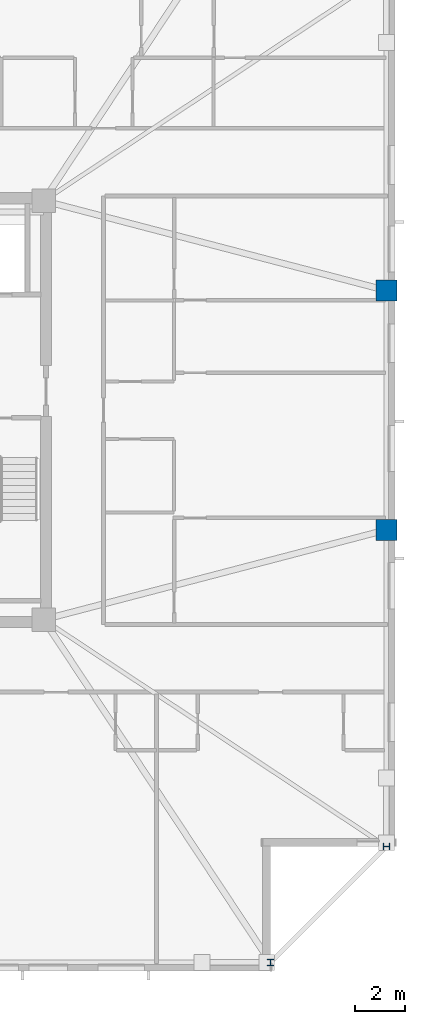
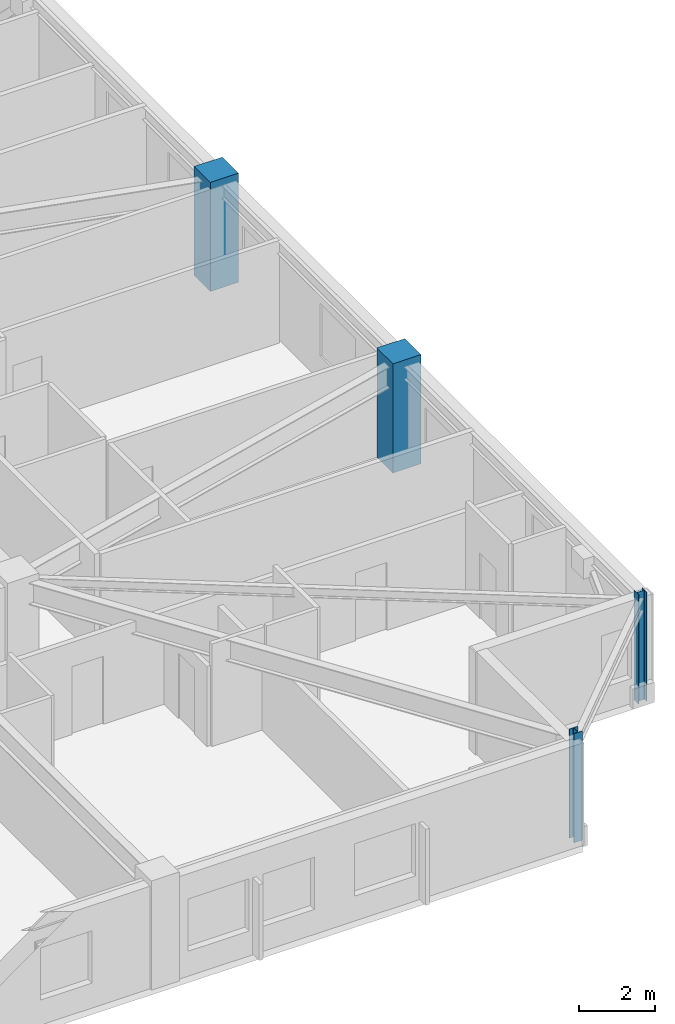
# One storey, part 3 of 17: 4 columns.
"""IFC4 building model written with IfcOpenShell, lengths in metres."""

from ifc_helpers import new_model, si_unit, direction, frame, origin, origin_2d, place, context, subcontext, project, spatial, rectangle, i_section, extrude, material, material_profile, profile_set, type_object, element, save


model = new_model("IFC4")

# Units and contexts
model_context = context("Model", 3, precision=1e-05, world=origin(), true_north=direction((0.0, 1.0)))
body_context = subcontext(model_context, "Body", "Model", "MODEL_VIEW")
ifc_project = project(units=[si_unit("LENGTHUNIT", "METRE"), si_unit("AREAUNIT", "SQUARE_METRE"), si_unit("VOLUMEUNIT", "CUBIC_METRE"), si_unit("PLANEANGLEUNIT", "RADIAN"), si_unit("MASSUNIT", "GRAM", prefix="KILO")], contexts=[model_context])

# Site, building, storey
site_placement = place(None, origin())
site = spatial("IfcSite", under=ifc_project, at=site_placement, CompositionType="ELEMENT")
building_placement = place(site_placement, origin())
building = spatial("IfcBuilding", under=site, at=building_placement, Name="Cairnveth Concourse Tower", CompositionType="ELEMENT")
storey_placement = place(building_placement, frame((0.0, 0.0, 216.5)))
storey = spatial("IfcBuildingStorey", under=building, at=storey_placement, Name="L59", CompositionType="ELEMENT", Elevation=216.5)

# Columns
ifc_material_1 = material(Name="Concrete N65 (65 MPa)", Category="concrete")
ifc_material_profile_1 = material_profile(ifc_material_1, rectangle(XDim=0.85009765625, YDim=0.85009765625, at=origin_2d()), Name="RC-COL-850x850")
ifc_profile_set_1 = profile_set([ifc_material_profile_1], Name="Concrete N65 (65 MPa)")
column_type_1 = type_object("IfcColumnType", Name="PERIMETER PIER COLUMN 850X850", PredefinedType="COLUMN", material=ifc_profile_set_1)
for number, where, z_axis, x_axis, name in (
    (1, (74.14990234375, 34.199951171875, 0.0), (0.0, 0.0, 1.0), (0.0, 1.0, 0.0), "Column P-E2 L59"),
    (2, (74.14990234375, 43.800048828125, 0.0), (0.0, 0.0, 1.0), (0.0, 1.0, 0.0), "Column P-E3 L59"),
):
    element("IfcColumn", number, at=place(storey_placement, frame(where, z_axis=z_axis, x_axis=x_axis)), inside=storey, type_object=column_type_1, Name=name, PredefinedType="COLUMN", context=body_context, shape_type="SweptSolid", body=[
        extrude(rectangle(XDim=0.85009765625, YDim=0.85009765625, at=origin_2d()), origin(), (0.0, 0.0, 1.0), 3.5),
    ])
ifc_material_2 = material(Name="Steel Grade 350", Category="steel")
ifc_material_profile_2 = material_profile(ifc_material_2, i_section(OverallWidth=0.256103515625, OverallDepth=0.260009765625, WebThickness=0.010498046875, FlangeThickness=0.017333984375, FilletRadius=0.012939453125, at=origin_2d()), Name="250UC89.5")
ifc_profile_set_2 = profile_set([ifc_material_profile_2], Name="Steel Grade 350")
column_type_2 = type_object("IfcColumnType", Name="UNIVERSAL STEEL COLUMN 250UC89.5", PredefinedType="COLUMN", material=ifc_profile_set_2)
for number, where, z_axis, x_axis, name in (
    (3, (69.5, 16.85009765625, 0.0), (0.0, 0.0, 1.0), (1.0, 0.0, 0.0), "Column P-S4 L59"),
    (4, (74.14990234375, 21.5, 0.0), (0.0, 0.0, 1.0), (0.0, 1.0, 0.0), "Column P-E1 L59"),
):
    element("IfcColumn", number, at=place(storey_placement, frame(where, z_axis=z_axis, x_axis=x_axis)), inside=storey, type_object=column_type_2, Name=name, PredefinedType="COLUMN", context=body_context, shape_type="SweptSolid", body=[
        extrude(i_section(OverallWidth=0.256103515625, OverallDepth=0.260009765625, WebThickness=0.010498046875, FlangeThickness=0.017333984375, FilletRadius=0.012939453125, at=origin_2d()), origin(), (0.0, 0.0, 1.0), 3.5),
    ])

save(model, "model.ifc")
